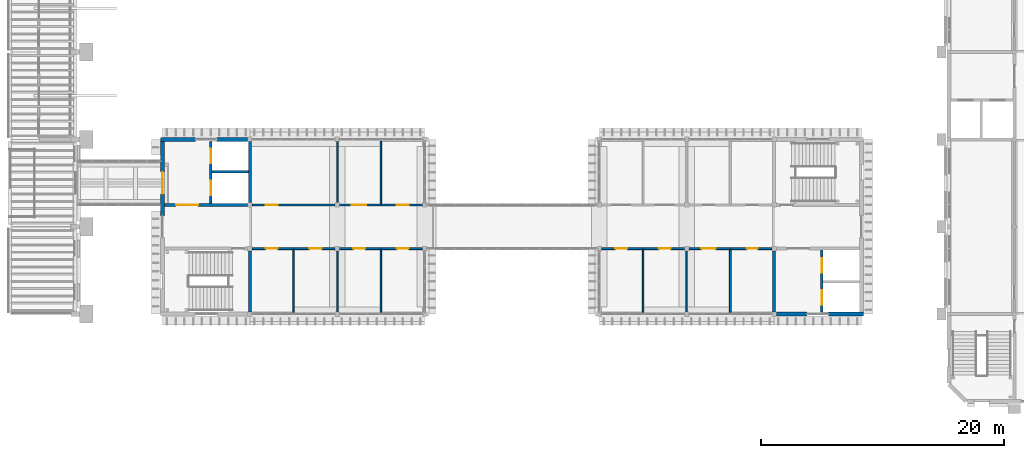
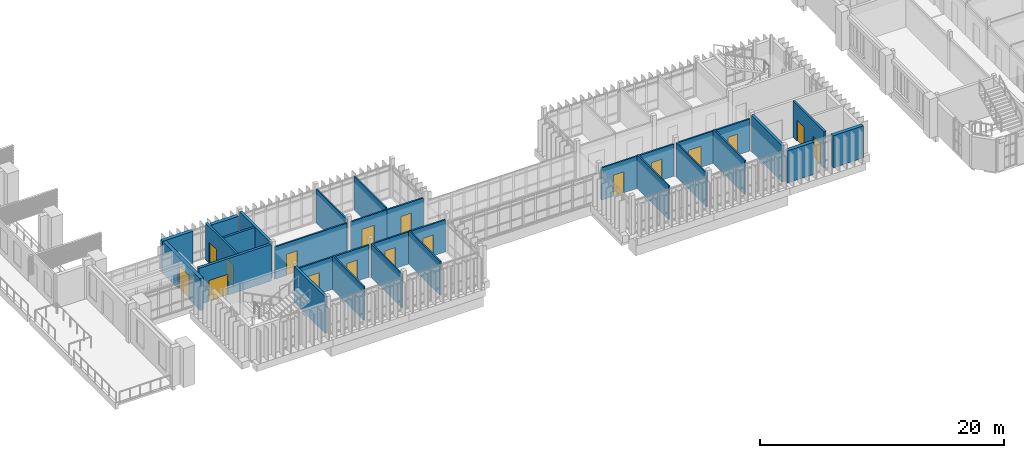
# One storey, part 44 of 69: 31 walls, 17 doors, 17 openings.
"""IFC4 building model written with IfcOpenShell, lengths in metres."""

from ifc_helpers import new_model, si_unit, direction, frame, frame_2d, origin, place, context, subcontext, project, spatial, rectangle, extrude, material, layer, layer_set, type_object, element, fill, save


model = new_model("IFC4")

# Units and contexts
model_context = context("Model", 3, precision=1e-05, world=origin(), true_north=direction((0.0, 1.0)))
body_context = subcontext(model_context, "Body", "Model", "MODEL_VIEW")
ifc_project = project(units=[si_unit("LENGTHUNIT", "METRE"), si_unit("AREAUNIT", "SQUARE_METRE"), si_unit("VOLUMEUNIT", "CUBIC_METRE"), si_unit("PLANEANGLEUNIT", "RADIAN"), si_unit("MASSUNIT", "GRAM", prefix="KILO")], contexts=[model_context])

# Site, building, storey
site_placement = place(None, origin())
site = spatial("IfcSite", under=ifc_project, at=site_placement, CompositionType="ELEMENT")
building_placement = place(site_placement, origin())
building = spatial("IfcBuilding", under=site, at=building_placement, Name="Mazhai Court Health Centre", CompositionType="ELEMENT")
storey_placement = place(building_placement, frame((0.0, 0.0, 6.300048828125)))
storey = spatial("IfcBuildingStorey", under=building, at=storey_placement, Name="L01", CompositionType="ELEMENT", Elevation=6.300048828125)

# Walls
ifc_material_1 = material(Name="Clay brick masonry", Category="masonry")
ifc_layer_1 = layer(ifc_material_1, 0.330078125)
ifc_layer_set_1 = layer_set([ifc_layer_1], Name="BRICK WALL 330 EXTERNAL")
wall_type_1 = type_object("IfcWallType", Name="BRICK WALL 330 EXTERNAL", PredefinedType="SOLIDWALL", material=ifc_layer_set_1)
wall_1_placement = place(storey_placement, frame((124.10009765625, 13.39990234375, 0.0), z_axis=(0.0, 0.0, 1.0), x_axis=(-1.0, 0.0, 0.0)))
element("IfcWall", 1, at=wall_1_placement, inside=storey, type_object=wall_type_1, Name="EW-V4-L01-A7a", PredefinedType="SOLIDWALL", context=body_context, shape_type="SweptSolid", body=[
    extrude(rectangle(XDim=2.52001953125, YDim=0.330078125, at=frame_2d((1.260009765625, 0.0))), origin(), (0.0, 0.0, 1.0), 3.219970703125),
])
for number, where, z_axis, x_axis, name in (
    (2, (128.764892578125, 13.39990234375, 0.0), (0.0, 0.0, 1.0), (-1.0, 0.0, 0.0), "EW-V4-L01-A7b"),
    (3, (70.8349609375, 27.800048828125, 0.0), (0.0, 0.0, 1.0), (1.0, 0.0, 0.0), "EW-V4-L01-B0a"),
):
    element("IfcWall", number, at=place(storey_placement, frame(where, z_axis=z_axis, x_axis=x_axis)), inside=storey, type_object=wall_type_1, Name=name, PredefinedType="SOLIDWALL", context=body_context, shape_type="SweptSolid", body=[
        extrude(rectangle(XDim=2.864990234375, YDim=0.330078125, at=frame_2d((1.4326171875, 0.0))), origin(), (0.0, 0.0, 1.0), 3.219970703125),
    ])
wall_2_placement = place(storey_placement, frame((75.5, 27.800048828125, 0.0), z_axis=(0.0, 0.0, 1.0), x_axis=(1.0, 0.0, 0.0)))
element("IfcWall", 4, at=wall_2_placement, inside=storey, type_object=wall_type_1, Name="EW-V4-L01-B0b", PredefinedType="SOLIDWALL", context=body_context, shape_type="SweptSolid", body=[
    extrude(rectangle(XDim=2.52001953125, YDim=0.330078125, at=frame_2d((1.260009765625, 0.0))), origin(), (0.0, 0.0, 1.0), 3.219970703125),
])

# Wall, opening, door
wall_3_placement = place(storey_placement, frame((71.0, 21.5, 0.0), z_axis=(0.0, 0.0, 1.0), x_axis=(0.0, 1.0, 0.0)))
wall_3 = element("IfcWall", 5, at=wall_3_placement, inside=storey, type_object=wall_type_1, Name="EW-V4-L01-Sp2", PredefinedType="SOLIDWALL", context=body_context, shape_type="SweptSolid", body=[
    extrude(rectangle(XDim=6.135009765625, YDim=0.330078125, at=frame_2d((3.0673828125, 0.0))), origin(), (0.0, 0.0, 1.0), 3.199951171875),
])
opening_1_placement = place(wall_3_placement, frame((1.800048828125, 0.0, 0.0)))
opening_1 = element("IfcOpeningElement", 6, at=opening_1_placement, cuts=wall_3, Name="Opening D-L01-048", PredefinedType="OPENING", context=body_context, shape_type="SweptSolid", body=[
    extrude(rectangle(XDim=1.800048828125, YDim=2.39990234375, at=frame_2d((0.89990234375, 1.199951171875))), frame((0.0, 0.175048828125, 0.0), z_axis=(0.0, -1.0, 0.0), x_axis=(1.0, 0.0, 0.0)), (0.0, 0.0, 1.0), 0.35009765625),
])
ifc_material_2 = material(Name="Teak timber door, glazed", Category="wood")
door_type_1 = type_object("IfcDoorType", Name="DOOR BRIDGE DOUBLE 1800x2400", OperationType="DOUBLE_DOOR_SINGLE_SWING", PredefinedType="DOOR", material=ifc_material_2)
door_1_placement = place(opening_1_placement, origin())
door_1 = element("IfcDoor", 7, at=door_1_placement, inside=storey, type_object=door_type_1, Name="L01-E02", OperationType="DOUBLE_DOOR_SINGLE_SWING", OverallHeight=2.39990234375, OverallWidth=1.800048828125, PredefinedType="DOOR", context=body_context, shape_type="SweptSolid", body=[
    extrude(rectangle(XDim=1.800048828125, YDim=2.39990234375, at=frame_2d((0.89990234375, 1.199951171875))), frame((0.0, 0.02490234375, 0.0), z_axis=(0.0, -1.0, 0.0), x_axis=(1.0, 0.0, 0.0)), (0.0, 0.0, 1.0), 0.050048828125),
])
fill(opening_1, door_1)

# Walls
ifc_material_3 = material(Name="Gypsum plasterboard partition")
ifc_layer_2 = layer(ifc_material_3, 0.125)
ifc_layer_set_2 = layer_set([ifc_layer_2], Name="PARTITION 125 STUD EI30")
wall_type_2 = type_object("IfcWallType", Name="PARTITION 125 STUD EI30", PredefinedType="PARTITIONING", material=ifc_layer_set_2)
wall_4_placement = place(storey_placement, frame((81.800048828125, 13.56494140625, 0.0), z_axis=(0.0, 0.0, 1.0), x_axis=(0.0, 1.0, 0.0)))
element("IfcWall", 8, at=wall_4_placement, inside=storey, type_object=wall_type_2, Name="wall-V4-L01-A0-cross-1a", PredefinedType="PARTITIONING", context=body_context, shape_type="SweptSolid", body=[
    extrude(rectangle(XDim=5.16015625, YDim=0.125, at=frame_2d((2.580078125, 0.0))), origin(), (0.0, 0.0, 1.0), 3.3798828125),
])
wall_5_placement = place(storey_placement, frame((85.39990234375, 13.580078125, 0.0), z_axis=(0.0, 0.0, 1.0), x_axis=(0.0, 1.0, 0.0)))
element("IfcWall", 9, at=wall_5_placement, inside=storey, type_object=wall_type_2, Name="wall-V4-L01-A0-cross-2a", PredefinedType="PARTITIONING", context=body_context, shape_type="SweptSolid", body=[
    extrude(rectangle(XDim=5.0400390625, YDim=0.125, at=frame_2d((2.52001953125, 0.0))), origin(), (0.0, 0.0, 1.0), 3.3798828125),
])
for number, where, z_axis, x_axis, name in (
    (10, (89.0, 13.56494140625, 0.0), (0.0, 0.0, 1.0), (0.0, 1.0, 0.0), "wall-V4-L01-A0-cross-3a"),
    (11, (110.60009765625, 13.56494140625, 0.0), (0.0, 0.0, 1.0), (0.0, 1.0, 0.0), "wall-V4-L01-A1-cross-1a"),
):
    element("IfcWall", number, at=place(storey_placement, frame(where, z_axis=z_axis, x_axis=x_axis)), inside=storey, type_object=wall_type_2, Name=name, PredefinedType="PARTITIONING", context=body_context, shape_type="SweptSolid", body=[
        extrude(rectangle(XDim=5.16015625, YDim=0.125, at=frame_2d((2.580078125, 0.0))), origin(), (0.0, 0.0, 1.0), 3.3798828125),
    ])
for number, where, z_axis, x_axis, name in (
    (12, (114.199951171875, 13.580078125, 0.0), (0.0, 0.0, 1.0), (0.0, 1.0, 0.0), "wall-V4-L01-A1-cross-2a"),
    (13, (85.39990234375, 27.6201171875, 0.0), (0.0, 0.0, 1.0), (0.0, -1.0, 0.0), "wall-V4-L01-B0-cross-1a"),
):
    element("IfcWall", number, at=place(storey_placement, frame(where, z_axis=z_axis, x_axis=x_axis)), inside=storey, type_object=wall_type_2, Name=name, PredefinedType="PARTITIONING", context=body_context, shape_type="SweptSolid", body=[
        extrude(rectangle(XDim=5.0400390625, YDim=0.125, at=frame_2d((2.52001953125, 0.0))), origin(), (0.0, 0.0, 1.0), 3.3798828125),
    ])
wall_6_placement = place(storey_placement, frame((89.0, 27.635009765625, 0.0), z_axis=(0.0, 0.0, 1.0), x_axis=(0.0, -1.0, 0.0)))
element("IfcWall", 14, at=wall_6_placement, inside=storey, type_object=wall_type_2, Name="wall-V4-L01-B0-cross-2a", PredefinedType="PARTITIONING", context=body_context, shape_type="SweptSolid", body=[
    extrude(rectangle(XDim=5.159912109375, YDim=0.125, at=frame_2d((2.580078125, 0.0))), origin(), (0.0, 0.0, 1.0), 3.3798828125),
])

# Wall, opening, door
ifc_material_4 = material(Name="Gypsum plasterboard partition")
ifc_layer_3 = layer(ifc_material_4, 0.14990234375)
ifc_layer_set_3 = layer_set([ifc_layer_3], Name="PARTITION 150 CORRIDOR EI60")
wall_type_3 = type_object("IfcWallType", Name="PARTITION 150 CORRIDOR EI60", PredefinedType="PARTITIONING", material=ifc_layer_set_3)
wall_7_placement = place(storey_placement, frame((81.800048828125, 18.800048828125, 0.0), z_axis=(0.0, 0.0, 1.0), x_axis=(-1.0, 0.0, 0.0)))
wall_7 = element("IfcWall", 15, at=wall_7_placement, inside=storey, type_object=wall_type_3, Name="wall-V4-L01-A0-corr-0a", PredefinedType="PARTITIONING", context=body_context, shape_type="SweptSolid", body=[
    extrude(rectangle(XDim=3.420166015625, YDim=0.14990234375, at=frame_2d((1.7099609375, 0.0))), origin(), (0.0, 0.0, 1.0), 3.219970703125),
])
opening_2_placement = place(wall_7_placement, frame((1.300048828125, 0.0, 0.0)))
opening_2 = element("IfcOpeningElement", 16, at=opening_2_placement, cuts=wall_7, Name="Opening D-L01-051", PredefinedType="OPENING", context=body_context, shape_type="SweptSolid", body=[
    extrude(rectangle(XDim=1.0, YDim=2.10009765625, at=frame_2d((0.5, 1.050048828125))), frame((0.0, 0.0849609375, 0.0), z_axis=(0.0, -1.0, 0.0), x_axis=(1.0, 0.0, 0.0)), (0.0, 0.0, 1.0), 0.169921875),
])
ifc_material_5 = material(Name="Hardwood door leaf", Category="wood")
door_type_2 = type_object("IfcDoorType", Name="DOOR 1000x2100 FD30S SINGLE", OperationType="NOTDEFINED", PredefinedType="DOOR", material=ifc_material_5)
door_2_placement = place(opening_2_placement, origin())
door_2 = element("IfcDoor", 17, at=door_2_placement, inside=storey, type_object=door_type_2, Name="door-V4-L01-A0-gp-consulting-room-1", OperationType="SINGLE_SWING_RIGHT", OverallHeight=2.10009765625, OverallWidth=1.0, PredefinedType="DOOR", context=body_context, shape_type="SweptSolid", body=[
    extrude(rectangle(XDim=1.0, YDim=2.10009765625, at=frame_2d((0.5, 1.050048828125))), frame((0.0, 0.02490234375, 0.0), z_axis=(0.0, -1.0, 0.0), x_axis=(1.0, 0.0, 0.0)), (0.0, 0.0, 1.0), 0.050048828125),
])
fill(opening_2, door_2)

wall_8_placement = place(storey_placement, frame((85.219970703125, 18.800048828125, 0.0), z_axis=(0.0, 0.0, 1.0), x_axis=(-1.0, 0.0, 0.0)))
wall_8 = element("IfcWall", 18, at=wall_8_placement, inside=storey, type_object=wall_type_3, Name="wall-V4-L01-A0-corr-1a", PredefinedType="PARTITIONING", context=body_context, shape_type="SweptSolid", body=[
    extrude(rectangle(XDim=3.419921875, YDim=0.14990234375, at=frame_2d((1.7099609375, 0.0))), origin(), (0.0, 0.0, 1.0), 3.219970703125),
])
opening_3_placement = place(wall_8_placement, frame((1.1201171875, 0.0, 0.0)))
opening_3 = element("IfcOpeningElement", 19, at=opening_3_placement, cuts=wall_8, Name="Opening D-L01-053", PredefinedType="OPENING", context=body_context, shape_type="SweptSolid", body=[
    extrude(rectangle(XDim=1.0, YDim=2.10009765625, at=frame_2d((0.5, 1.050048828125))), frame((0.0, 0.0849609375, 0.0), z_axis=(0.0, -1.0, 0.0), x_axis=(1.0, 0.0, 0.0)), (0.0, 0.0, 1.0), 0.169921875),
])
door_3_placement = place(opening_3_placement, origin())
door_3 = element("IfcDoor", 20, at=door_3_placement, inside=storey, type_object=door_type_2, Name="door-V4-L01-A0-gp-consulting-room-2", OperationType="SINGLE_SWING_LEFT", OverallHeight=2.10009765625, OverallWidth=1.0, PredefinedType="DOOR", context=body_context, shape_type="SweptSolid", body=[
    extrude(rectangle(XDim=1.0, YDim=2.10009765625, at=frame_2d((0.5, 1.050048828125))), frame((0.0, 0.02490234375, 0.0), z_axis=(0.0, -1.0, 0.0), x_axis=(1.0, 0.0, 0.0)), (0.0, 0.0, 1.0), 0.050048828125),
])
fill(opening_3, door_3)

wall_9_placement = place(storey_placement, frame((89.0, 18.800048828125, 0.0), z_axis=(0.0, 0.0, 1.0), x_axis=(-1.0, 0.0, 0.0)))
wall_9 = element("IfcWall", 21, at=wall_9_placement, inside=storey, type_object=wall_type_3, Name="wall-V4-L01-A0-corr-2a", PredefinedType="PARTITIONING", context=body_context, shape_type="SweptSolid", body=[
    extrude(rectangle(XDim=3.419921875, YDim=0.14990234375, at=frame_2d((1.7099609375, 0.0))), origin(), (0.0, 0.0, 1.0), 3.219970703125),
])
opening_4_placement = place(wall_9_placement, frame((1.300048828125, 0.0, 0.0)))
opening_4 = element("IfcOpeningElement", 22, at=opening_4_placement, cuts=wall_9, Name="Opening D-L01-054", PredefinedType="OPENING", context=body_context, shape_type="SweptSolid", body=[
    extrude(rectangle(XDim=1.0, YDim=2.10009765625, at=frame_2d((0.5, 1.050048828125))), frame((0.0, 0.0849609375, 0.0), z_axis=(0.0, -1.0, 0.0), x_axis=(1.0, 0.0, 0.0)), (0.0, 0.0, 1.0), 0.169921875),
])
door_4_placement = place(opening_4_placement, origin())
door_4 = element("IfcDoor", 23, at=door_4_placement, inside=storey, type_object=door_type_2, Name="door-V4-L01-A0-gp-consulting-room-3", OperationType="SINGLE_SWING_RIGHT", OverallHeight=2.10009765625, OverallWidth=1.0, PredefinedType="DOOR", context=body_context, shape_type="SweptSolid", body=[
    extrude(rectangle(XDim=1.0, YDim=2.10009765625, at=frame_2d((0.5, 1.050048828125))), frame((0.0, 0.02490234375, 0.0), z_axis=(0.0, -1.0, 0.0), x_axis=(1.0, 0.0, 0.0)), (0.0, 0.0, 1.0), 0.050048828125),
])
fill(opening_4, door_4)

wall_10_placement = place(storey_placement, frame((92.419921875, 18.800048828125, 0.0), z_axis=(0.0, 0.0, 1.0), x_axis=(-1.0, 0.0, 0.0)))
wall_10 = element("IfcWall", 24, at=wall_10_placement, inside=storey, type_object=wall_type_3, Name="wall-V4-L01-A0-corr-3a", PredefinedType="PARTITIONING", context=body_context, shape_type="SweptSolid", body=[
    extrude(rectangle(XDim=3.419921875, YDim=0.14990234375, at=frame_2d((1.7099609375, 0.0))), origin(), (0.0, 0.0, 1.0), 3.219970703125),
])
opening_5_placement = place(wall_10_placement, frame((1.1201171875, 0.0, 0.0)))
opening_5 = element("IfcOpeningElement", 25, at=opening_5_placement, cuts=wall_10, Name="Opening D-L01-056", PredefinedType="OPENING", context=body_context, shape_type="SweptSolid", body=[
    extrude(rectangle(XDim=1.0, YDim=2.10009765625, at=frame_2d((0.5, 1.050048828125))), frame((0.0, 0.0849609375, 0.0), z_axis=(0.0, -1.0, 0.0), x_axis=(1.0, 0.0, 0.0)), (0.0, 0.0, 1.0), 0.169921875),
])
door_5_placement = place(opening_5_placement, origin())
door_5 = element("IfcDoor", 26, at=door_5_placement, inside=storey, type_object=door_type_2, Name="door-V4-L01-A0-gp-consulting-room-4", OperationType="SINGLE_SWING_LEFT", OverallHeight=2.10009765625, OverallWidth=1.0, PredefinedType="DOOR", context=body_context, shape_type="SweptSolid", body=[
    extrude(rectangle(XDim=1.0, YDim=2.10009765625, at=frame_2d((0.5, 1.050048828125))), frame((0.0, 0.02490234375, 0.0), z_axis=(0.0, -1.0, 0.0), x_axis=(1.0, 0.0, 0.0)), (0.0, 0.0, 1.0), 0.050048828125),
])
fill(opening_5, door_5)

wall_11_placement = place(storey_placement, frame((110.60009765625, 18.800048828125, 0.0), z_axis=(0.0, 0.0, 1.0), x_axis=(-1.0, 0.0, 0.0)))
wall_11 = element("IfcWall", 27, at=wall_11_placement, inside=storey, type_object=wall_type_3, Name="wall-V4-L01-A1-corr-0a", PredefinedType="PARTITIONING", context=body_context, shape_type="SweptSolid", body=[
    extrude(rectangle(XDim=3.420166015625, YDim=0.14990234375, at=frame_2d((1.7099609375, 0.0))), origin(), (0.0, 0.0, 1.0), 3.219970703125),
])
opening_6_placement = place(wall_11_placement, frame((1.300048828125, 0.0, 0.0)))
opening_6 = element("IfcOpeningElement", 28, at=opening_6_placement, cuts=wall_11, Name="Opening D-L01-058", PredefinedType="OPENING", context=body_context, shape_type="SweptSolid", body=[
    extrude(rectangle(XDim=1.0, YDim=2.10009765625, at=frame_2d((0.5, 1.050048828125))), frame((0.0, 0.0849609375, 0.0), z_axis=(0.0, -1.0, 0.0), x_axis=(1.0, 0.0, 0.0)), (0.0, 0.0, 1.0), 0.169921875),
])
door_6_placement = place(opening_6_placement, origin())
door_6 = element("IfcDoor", 29, at=door_6_placement, inside=storey, type_object=door_type_2, Name="door-V4-L01-A1-gp-consulting-room-5", OperationType="SINGLE_SWING_RIGHT", OverallHeight=2.10009765625, OverallWidth=1.0, PredefinedType="DOOR", context=body_context, shape_type="SweptSolid", body=[
    extrude(rectangle(XDim=1.0, YDim=2.10009765625, at=frame_2d((0.5, 1.050048828125))), frame((0.0, 0.02490234375, 0.0), z_axis=(0.0, -1.0, 0.0), x_axis=(1.0, 0.0, 0.0)), (0.0, 0.0, 1.0), 0.050048828125),
])
fill(opening_6, door_6)

wall_12_placement = place(storey_placement, frame((114.02001953125, 18.800048828125, 0.0), z_axis=(0.0, 0.0, 1.0), x_axis=(-1.0, 0.0, 0.0)))
wall_12 = element("IfcWall", 30, at=wall_12_placement, inside=storey, type_object=wall_type_3, Name="wall-V4-L01-A1-corr-1a", PredefinedType="PARTITIONING", context=body_context, shape_type="SweptSolid", body=[
    extrude(rectangle(XDim=3.419921875, YDim=0.14990234375, at=frame_2d((1.7099609375, 0.0))), origin(), (0.0, 0.0, 1.0), 3.219970703125),
])
opening_7_placement = place(wall_12_placement, frame((1.1201171875, 0.0, 0.0)))
opening_7 = element("IfcOpeningElement", 31, at=opening_7_placement, cuts=wall_12, Name="Opening D-L01-060", PredefinedType="OPENING", context=body_context, shape_type="SweptSolid", body=[
    extrude(rectangle(XDim=1.0, YDim=2.10009765625, at=frame_2d((0.5, 1.050048828125))), frame((0.0, 0.0849609375, 0.0), z_axis=(0.0, -1.0, 0.0), x_axis=(1.0, 0.0, 0.0)), (0.0, 0.0, 1.0), 0.169921875),
])
door_7_placement = place(opening_7_placement, origin())
door_7 = element("IfcDoor", 32, at=door_7_placement, inside=storey, type_object=door_type_2, Name="door-V4-L01-A1-gp-consulting-room-6", OperationType="SINGLE_SWING_LEFT", OverallHeight=2.10009765625, OverallWidth=1.0, PredefinedType="DOOR", context=body_context, shape_type="SweptSolid", body=[
    extrude(rectangle(XDim=1.0, YDim=2.10009765625, at=frame_2d((0.5, 1.050048828125))), frame((0.0, 0.02490234375, 0.0), z_axis=(0.0, -1.0, 0.0), x_axis=(1.0, 0.0, 0.0)), (0.0, 0.0, 1.0), 0.050048828125),
])
fill(opening_7, door_7)

wall_13_placement = place(storey_placement, frame((117.800048828125, 18.800048828125, 0.0), z_axis=(0.0, 0.0, 1.0), x_axis=(-1.0, 0.0, 0.0)))
wall_13 = element("IfcWall", 33, at=wall_13_placement, inside=storey, type_object=wall_type_3, Name="wall-V4-L01-A1-corr-2a", PredefinedType="PARTITIONING", context=body_context, shape_type="SweptSolid", body=[
    extrude(rectangle(XDim=3.420166015625, YDim=0.14990234375, at=frame_2d((1.7099609375, 0.0))), origin(), (0.0, 0.0, 1.0), 3.219970703125),
])
opening_8_placement = place(wall_13_placement, frame((1.199951171875, 0.0, 0.0)))
opening_8 = element("IfcOpeningElement", 34, at=opening_8_placement, cuts=wall_13, Name="Opening D-L01-062", PredefinedType="OPENING", context=body_context, shape_type="SweptSolid", body=[
    extrude(rectangle(XDim=1.199951171875, YDim=2.10009765625, at=frame_2d((0.60009765625, 1.050048828125))), frame((0.0, 0.0849609375, 0.0), z_axis=(0.0, -1.0, 0.0), x_axis=(1.0, 0.0, 0.0)), (0.0, 0.0, 1.0), 0.169921875),
])
ifc_material_6 = material(Name="Hardwood door leaf", Category="wood")
door_type_3 = type_object("IfcDoorType", Name="DOOR 1200x2100 FD30S WIDE SINGLE", OperationType="NOTDEFINED", PredefinedType="DOOR", material=ifc_material_6)
door_8_placement = place(opening_8_placement, origin())
door_8 = element("IfcDoor", 35, at=door_8_placement, inside=storey, type_object=door_type_3, Name="door-V4-L01-A1-treatment-room-1", OperationType="SINGLE_SWING_RIGHT", OverallHeight=2.10009765625, OverallWidth=1.199951171875, PredefinedType="DOOR", context=body_context, shape_type="SweptSolid", body=[
    extrude(rectangle(XDim=1.199951171875, YDim=2.10009765625, at=frame_2d((0.60009765625, 1.050048828125))), frame((0.0, 0.02490234375, 0.0), z_axis=(0.0, -1.0, 0.0), x_axis=(1.0, 0.0, 0.0)), (0.0, 0.0, 1.0), 0.050048828125),
])
fill(opening_8, door_8)

wall_14_placement = place(storey_placement, frame((117.800048828125, 18.800048828125, 0.0), z_axis=(0.0, 0.0, 1.0), x_axis=(1.0, 0.0, 0.0)))
wall_14 = element("IfcWall", 36, at=wall_14_placement, inside=storey, type_object=wall_type_3, Name="wall-V4-L01-A1-corr-3a", PredefinedType="PARTITIONING", context=body_context, shape_type="SweptSolid", body=[
    extrude(rectangle(XDim=3.419921875, YDim=0.14990234375, at=frame_2d((1.7099609375, 0.0))), origin(), (0.0, 0.0, 1.0), 3.219970703125),
])
opening_9_placement = place(wall_14_placement, frame((1.35009765625, 0.0, 0.0)))
opening_9 = element("IfcOpeningElement", 37, at=opening_9_placement, cuts=wall_14, Name="Opening D-L01-064", PredefinedType="OPENING", context=body_context, shape_type="SweptSolid", body=[
    extrude(rectangle(XDim=0.89990234375, YDim=2.10009765625, at=frame_2d((0.449951171875, 1.050048828125))), frame((0.0, 0.0849609375, 0.0), z_axis=(0.0, -1.0, 0.0), x_axis=(1.0, 0.0, 0.0)), (0.0, 0.0, 1.0), 0.169921875),
])
ifc_material_7 = material(Name="Hardwood door leaf", Category="wood")
door_type_4 = type_object("IfcDoorType", Name="DOOR 900x2100 FD30S SINGLE", OperationType="NOTDEFINED", PredefinedType="DOOR", material=ifc_material_7)
door_9_placement = place(opening_9_placement, origin())
door_9 = element("IfcDoor", 38, at=door_9_placement, inside=storey, type_object=door_type_4, Name="door-V4-L01-A1-accessible-wc", OperationType="SINGLE_SWING_RIGHT", OverallHeight=2.10009765625, OverallWidth=0.89990234375, PredefinedType="DOOR", context=body_context, shape_type="SweptSolid", body=[
    extrude(rectangle(XDim=0.89990234375, YDim=2.10009765625, at=frame_2d((0.449951171875, 1.050048828125))), frame((0.0, 0.02490234375, 0.0), z_axis=(0.0, -1.0, 0.0), x_axis=(1.0, 0.0, 0.0)), (0.0, 0.0, 1.0), 0.050048828125),
])
fill(opening_9, door_9)

wall_15_placement = place(storey_placement, frame((78.3798828125, 22.39990234375, 0.0), z_axis=(0.0, 0.0, 1.0), x_axis=(1.0, 0.0, 0.0)))
wall_15 = element("IfcWall", 39, at=wall_15_placement, inside=storey, type_object=wall_type_3, Name="wall-V4-L01-B0-corr-0a", PredefinedType="PARTITIONING", context=body_context, shape_type="SweptSolid", body=[
    extrude(rectangle(XDim=6.840087890625, YDim=0.14990234375, at=frame_2d((3.419921875, 0.0))), origin(), (0.0, 0.0, 1.0), 3.219970703125),
])
opening_10_placement = place(wall_15_placement, frame((1.1201171875, 0.0, 0.0)))
opening_10 = element("IfcOpeningElement", 40, at=opening_10_placement, cuts=wall_15, Name="Opening D-L01-052", PredefinedType="OPENING", context=body_context, shape_type="SweptSolid", body=[
    extrude(rectangle(XDim=1.0, YDim=2.10009765625, at=frame_2d((0.5, 1.050048828125))), frame((0.0, 0.0849609375, 0.0), z_axis=(0.0, -1.0, 0.0), x_axis=(1.0, 0.0, 0.0)), (0.0, 0.0, 1.0), 0.169921875),
])
door_10_placement = place(opening_10_placement, origin())
door_10 = element("IfcDoor", 41, at=door_10_placement, inside=storey, type_object=door_type_2, Name="door-V4-L01-B0-nurse-base-and-triage", OperationType="SINGLE_SWING_LEFT", OverallHeight=2.10009765625, OverallWidth=1.0, PredefinedType="DOOR", context=body_context, shape_type="SweptSolid", body=[
    extrude(rectangle(XDim=1.0, YDim=2.10009765625, at=frame_2d((0.5, 1.050048828125))), frame((0.0, 0.02490234375, 0.0), z_axis=(0.0, -1.0, 0.0), x_axis=(1.0, 0.0, 0.0)), (0.0, 0.0, 1.0), 0.050048828125),
])
fill(opening_10, door_10)

wall_16_placement = place(storey_placement, frame((85.580078125, 22.39990234375, 0.0), z_axis=(0.0, 0.0, 1.0), x_axis=(1.0, 0.0, 0.0)))
wall_16 = element("IfcWall", 42, at=wall_16_placement, inside=storey, type_object=wall_type_3, Name="wall-V4-L01-B0-corr-1a", PredefinedType="PARTITIONING", context=body_context, shape_type="SweptSolid", body=[
    extrude(rectangle(XDim=3.419921875, YDim=0.14990234375, at=frame_2d((1.7099609375, 0.0))), origin(), (0.0, 0.0, 1.0), 3.219970703125),
])
opening_11_placement = place(wall_16_placement, frame((1.02001953125, 0.0, 0.0)))
opening_11 = element("IfcOpeningElement", 43, at=opening_11_placement, cuts=wall_16, Name="Opening D-L01-055", PredefinedType="OPENING", context=body_context, shape_type="SweptSolid", body=[
    extrude(rectangle(XDim=1.199951171875, YDim=2.10009765625, at=frame_2d((0.60009765625, 1.050048828125))), frame((0.0, 0.0849609375, 0.0), z_axis=(0.0, -1.0, 0.0), x_axis=(1.0, 0.0, 0.0)), (0.0, 0.0, 1.0), 0.169921875),
])
door_11_placement = place(opening_11_placement, origin())
door_11 = element("IfcDoor", 44, at=door_11_placement, inside=storey, type_object=door_type_3, Name="door-V4-L01-B0-treatment-room-2", OperationType="SINGLE_SWING_LEFT", OverallHeight=2.10009765625, OverallWidth=1.199951171875, PredefinedType="DOOR", context=body_context, shape_type="SweptSolid", body=[
    extrude(rectangle(XDim=1.199951171875, YDim=2.10009765625, at=frame_2d((0.60009765625, 1.050048828125))), frame((0.0, 0.02490234375, 0.0), z_axis=(0.0, -1.0, 0.0), x_axis=(1.0, 0.0, 0.0)), (0.0, 0.0, 1.0), 0.050048828125),
])
fill(opening_11, door_11)

wall_17_placement = place(storey_placement, frame((89.0, 22.39990234375, 0.0), z_axis=(0.0, 0.0, 1.0), x_axis=(1.0, 0.0, 0.0)))
wall_17 = element("IfcWall", 45, at=wall_17_placement, inside=storey, type_object=wall_type_3, Name="wall-V4-L01-B0-corr-2a", PredefinedType="PARTITIONING", context=body_context, shape_type="SweptSolid", body=[
    extrude(rectangle(XDim=3.419921875, YDim=0.14990234375, at=frame_2d((1.7099609375, 0.0))), origin(), (0.0, 0.0, 1.0), 3.219970703125),
])
opening_12_placement = place(wall_17_placement, frame((1.300048828125, 0.0, 0.0)))
opening_12 = element("IfcOpeningElement", 46, at=opening_12_placement, cuts=wall_17, Name="Opening D-L01-057", PredefinedType="OPENING", context=body_context, shape_type="SweptSolid", body=[
    extrude(rectangle(XDim=1.0, YDim=2.10009765625, at=frame_2d((0.5, 1.050048828125))), frame((0.0, 0.0849609375, 0.0), z_axis=(0.0, -1.0, 0.0), x_axis=(1.0, 0.0, 0.0)), (0.0, 0.0, 1.0), 0.169921875),
])
door_12_placement = place(opening_12_placement, origin())
door_12 = element("IfcDoor", 47, at=door_12_placement, inside=storey, type_object=door_type_2, Name="door-V4-L01-B0-wound-care-room", OperationType="SINGLE_SWING_RIGHT", OverallHeight=2.10009765625, OverallWidth=1.0, PredefinedType="DOOR", context=body_context, shape_type="SweptSolid", body=[
    extrude(rectangle(XDim=1.0, YDim=2.10009765625, at=frame_2d((0.5, 1.050048828125))), frame((0.0, 0.02490234375, 0.0), z_axis=(0.0, -1.0, 0.0), x_axis=(1.0, 0.0, 0.0)), (0.0, 0.0, 1.0), 0.050048828125),
])
fill(opening_12, door_12)

# Walls
ifc_material_8 = material(Name="Gypsum plasterboard partition")
ifc_layer_4 = layer(ifc_material_8, 0.14990234375)
ifc_layer_set_4 = layer_set([ifc_layer_4], Name="PARTITION 150 WET AREA EI30")
wall_type_4 = type_object("IfcWallType", Name="PARTITION 150 WET AREA EI30", PredefinedType="PARTITIONING", material=ifc_layer_set_4)
wall_18_placement = place(storey_placement, frame((117.800048828125, 13.56494140625, 0.0), z_axis=(0.0, 0.0, 1.0), x_axis=(0.0, 1.0, 0.0)))
element("IfcWall", 48, at=wall_18_placement, inside=storey, type_object=wall_type_4, Name="wall-V4-L01-A1-cross-3a", PredefinedType="PARTITIONING", context=body_context, shape_type="SweptSolid", body=[
    extrude(rectangle(XDim=5.16015625, YDim=0.14990234375, at=frame_2d((2.580078125, 0.0))), origin(), (0.0, 0.0, 1.0), 3.3798828125),
])
ifc_material_9 = material(Name="Concrete M40", Category="concrete")
ifc_layer_5 = layer(ifc_material_9, 0.25)
ifc_layer_set_5 = layer_set([ifc_layer_5], Name="RC CORE WALL 250 M40")
wall_type_5 = type_object("IfcWallType", Name="RC CORE WALL 250 M40", PredefinedType="SHEAR", material=ifc_layer_set_5)
wall_19_placement = place(storey_placement, frame((78.199951171875, 13.580078125, 0.0), z_axis=(0.0, 0.0, 1.0), x_axis=(0.0, 1.0, 0.0)))
element("IfcWall", 49, at=wall_19_placement, inside=storey, type_object=wall_type_5, Name="core-C6-w-stair-line0-L01", PredefinedType="SHEAR", context=body_context, shape_type="SweptSolid", body=[
    extrude(rectangle(XDim=5.0400390625, YDim=0.25, at=frame_2d((2.52001953125, 0.0))), origin(), (0.0, 0.0, 1.0), 3.64990234375),
])

# Wall, opening, door
wall_20_placement = place(storey_placement, frame((71.1650390625, 22.39990234375, 0.0), z_axis=(0.0, 0.0, 1.0), x_axis=(1.0, 0.0, 0.0)))
wall_20 = element("IfcWall", 50, at=wall_20_placement, inside=storey, type_object=wall_type_5, Name="core-C6-w-other-corr-L01", PredefinedType="SHEAR", context=body_context, shape_type="SweptSolid", body=[
    extrude(rectangle(XDim=6.85498046875, YDim=0.25, at=frame_2d((3.427490234375, 0.0))), origin(), (0.0, 0.0, 1.0), 3.64990234375),
])
opening_13_placement = place(wall_20_placement, frame((0.955078125, 0.0, 0.0)))
opening_13 = element("IfcOpeningElement", 51, at=opening_13_placement, cuts=wall_20, Name="Opening D-L01-049", PredefinedType="OPENING", context=body_context, shape_type="SweptSolid", body=[
    extrude(rectangle(XDim=1.800048828125, YDim=2.10009765625, at=frame_2d((0.89990234375, 1.050048828125))), frame((0.0, 0.135009765625, 0.0), z_axis=(0.0, -1.0, 0.0), x_axis=(1.0, 0.0, 0.0)), (0.0, 0.0, 1.0), 0.27001953125),
])
ifc_material_10 = material(Name="Steel fire door leaf", Category="steel")
door_type_5 = type_object("IfcDoorType", Name="FD60S LIFT LOBBY DOOR 1800x2100", OperationType="DOUBLE_DOOR_SINGLE_SWING", PredefinedType="DOOR", material=ifc_material_10)
door_13_placement = place(opening_13_placement, origin())
door_13 = element("IfcDoor", 52, at=door_13_placement, inside=storey, type_object=door_type_5, Name="Lift lobby door L01", OperationType="DOUBLE_DOOR_SINGLE_SWING", OverallHeight=2.10009765625, OverallWidth=1.800048828125, PredefinedType="DOOR", context=body_context, shape_type="SweptSolid", body=[
    extrude(rectangle(XDim=1.800048828125, YDim=2.10009765625, at=frame_2d((0.89990234375, 1.050048828125))), frame((0.0, 0.02490234375, 0.0), z_axis=(0.0, -1.0, 0.0), x_axis=(1.0, 0.0, 0.0)), (0.0, 0.0, 1.0), 0.050048828125),
])
fill(opening_13, door_13)

# Walls
for number, where, z_axis, x_axis, name in (
    (53, (78.199951171875, 22.580078125, 0.0), (0.0, 0.0, 1.0), (0.0, 1.0, 0.0), "core-C6-w-other-line0-L01"),
    (54, (121.39990234375, 13.580078125, 0.0), (0.0, 0.0, 1.0), (0.0, 1.0, 0.0), "core-C7-w-other-line0-L01"),
):
    element("IfcWall", number, at=place(storey_placement, frame(where, z_axis=z_axis, x_axis=x_axis)), inside=storey, type_object=wall_type_5, Name=name, PredefinedType="SHEAR", context=body_context, shape_type="SweptSolid", body=[
        extrude(rectangle(XDim=5.0400390625, YDim=0.25, at=frame_2d((2.52001953125, 0.0))), origin(), (0.0, 0.0, 1.0), 3.64990234375),
    ])

# Wall, openings, doors
ifc_material_11 = material(Name="Concrete M40", Category="concrete")
ifc_layer_6 = layer(ifc_material_11, 0.199951171875)
ifc_layer_set_6 = layer_set([ifc_layer_6], Name="RC SHAFT WALL 200 M40")
wall_type_6 = type_object("IfcWallType", Name="RC SHAFT WALL 200 M40", PredefinedType="SHEAR", material=ifc_layer_set_6)
wall_21_placement = place(storey_placement, frame((74.97509765625, 22.52490234375, 0.0), z_axis=(0.0, 0.0, 1.0), x_axis=(0.0, 1.0, 0.0)))
wall_21 = element("IfcWall", 55, at=wall_21_placement, inside=storey, type_object=wall_type_6, Name="core-C6-w-front-L01", PredefinedType="SHEAR", context=body_context, shape_type="SweptSolid", body=[
    extrude(rectangle(XDim=5.110107421875, YDim=0.199951171875, at=frame_2d((2.55517578125, 0.0))), origin(), (0.0, 0.0, 1.0), 3.64990234375),
])
opening_14_placement = place(wall_21_placement, frame((3.31005859375, 0.0, 0.0)))
opening_14 = element("IfcOpeningElement", 56, at=opening_14_placement, cuts=wall_21, Name="Opening LD5-L01", PredefinedType="OPENING", context=body_context, shape_type="SweptSolid", body=[
    extrude(rectangle(XDim=1.199951171875, YDim=2.10009765625, at=frame_2d((0.60009765625, 1.050048828125))), frame((0.0, 0.10986328125, 0.0), z_axis=(0.0, -1.0, 0.0), x_axis=(1.0, 0.0, 0.0)), (0.0, 0.0, 1.0), 0.219970703125),
])
opening_15_placement = place(wall_21_placement, frame((0.655029296875, 0.0, 0.0)))
opening_15 = element("IfcOpeningElement", 57, at=opening_15_placement, cuts=wall_21, Name="Opening LD6-L01", PredefinedType="OPENING", context=body_context, shape_type="SweptSolid", body=[
    extrude(rectangle(XDim=1.199951171875, YDim=2.10009765625, at=frame_2d((0.60009765625, 1.050048828125))), frame((0.0, 0.10986328125, 0.0), z_axis=(0.0, -1.0, 0.0), x_axis=(1.0, 0.0, 0.0)), (0.0, 0.0, 1.0), 0.219970703125),
])
ifc_material_12 = material(Name="Stainless steel lift door", Category="steel")
door_type_6 = type_object("IfcDoorType", Name="LIFT LANDING DOOR 1200x2100", OperationType="DOUBLE_DOOR_SLIDING", PredefinedType="DOOR", material=ifc_material_12)
door_14_placement = place(opening_14_placement, origin())
door_14 = element("IfcDoor", 58, at=door_14_placement, inside=storey, type_object=door_type_6, Name="Landing door LD5 L01", OperationType="DOUBLE_DOOR_SLIDING", OverallHeight=2.10009765625, OverallWidth=1.199951171875, PredefinedType="DOOR", context=body_context, shape_type="SweptSolid", body=[
    extrude(rectangle(XDim=1.199951171875, YDim=2.10009765625, at=frame_2d((0.60009765625, 1.050048828125))), frame((0.0, 0.02490234375, 0.0), z_axis=(0.0, -1.0, 0.0), x_axis=(1.0, 0.0, 0.0)), (0.0, 0.0, 1.0), 0.050048828125),
])
fill(opening_14, door_14)
door_15_placement = place(opening_15_placement, origin())
door_15 = element("IfcDoor", 59, at=door_15_placement, inside=storey, type_object=door_type_6, Name="Landing door LD6 L01", OperationType="DOUBLE_DOOR_SLIDING", OverallHeight=2.10009765625, OverallWidth=1.199951171875, PredefinedType="DOOR", context=body_context, shape_type="SweptSolid", body=[
    extrude(rectangle(XDim=1.199951171875, YDim=2.10009765625, at=frame_2d((0.60009765625, 1.050048828125))), frame((0.0, 0.02490234375, 0.0), z_axis=(0.0, -1.0, 0.0), x_axis=(1.0, 0.0, 0.0)), (0.0, 0.0, 1.0), 0.050048828125),
])
fill(opening_15, door_15)

# Wall
wall_22_placement = place(storey_placement, frame((78.074951171875, 25.135009765625, 0.0), z_axis=(0.0, 0.0, 1.0), x_axis=(-1.0, 0.0, 0.0)))
element("IfcWall", 60, at=wall_22_placement, inside=storey, type_object=wall_type_6, Name="core-C6-w-divider0-L01", PredefinedType="SHEAR", context=body_context, shape_type="SweptSolid", body=[
    extrude(rectangle(XDim=3.0, YDim=0.199951171875, at=frame_2d((1.5, 0.0))), origin(), (0.0, 0.0, 1.0), 3.64990234375),
])

# Wall, openings, doors
wall_23_placement = place(storey_placement, frame((125.3349609375, 13.56494140625, 0.0), z_axis=(0.0, 0.0, 1.0), x_axis=(0.0, 1.0, 0.0)))
wall_23 = element("IfcWall", 61, at=wall_23_placement, inside=storey, type_object=wall_type_6, Name="core-C7-w-front-L01", PredefinedType="SHEAR", context=body_context, shape_type="SweptSolid", body=[
    extrude(rectangle(XDim=5.110107421875, YDim=0.199951171875, at=frame_2d((2.55517578125, 0.0))), origin(), (0.0, 0.0, 1.0), 3.64990234375),
])
opening_16_placement = place(wall_23_placement, frame((0.60009765625, 0.0, 0.0)))
opening_16 = element("IfcOpeningElement", 62, at=opening_16_placement, cuts=wall_23, Name="Opening LD7-L01", PredefinedType="OPENING", context=body_context, shape_type="SweptSolid", body=[
    extrude(rectangle(XDim=1.199951171875, YDim=2.10009765625, at=frame_2d((0.60009765625, 1.050048828125))), frame((0.0, 0.10986328125, 0.0), z_axis=(0.0, -1.0, 0.0), x_axis=(1.0, 0.0, 0.0)), (0.0, 0.0, 1.0), 0.219970703125),
])
opening_17_placement = place(wall_23_placement, frame((3.2548828125, 0.0, 0.0)))
opening_17 = element("IfcOpeningElement", 63, at=opening_17_placement, cuts=wall_23, Name="Opening LD8-L01", PredefinedType="OPENING", context=body_context, shape_type="SweptSolid", body=[
    extrude(rectangle(XDim=1.199951171875, YDim=2.10009765625, at=frame_2d((0.60009765625, 1.050048828125))), frame((0.0, 0.10986328125, 0.0), z_axis=(0.0, -1.0, 0.0), x_axis=(1.0, 0.0, 0.0)), (0.0, 0.0, 1.0), 0.219970703125),
])
door_16_placement = place(opening_16_placement, origin())
door_16 = element("IfcDoor", 64, at=door_16_placement, inside=storey, type_object=door_type_6, Name="Landing door LD7 L01", OperationType="DOUBLE_DOOR_SLIDING", OverallHeight=2.10009765625, OverallWidth=1.199951171875, PredefinedType="DOOR", context=body_context, shape_type="SweptSolid", body=[
    extrude(rectangle(XDim=1.199951171875, YDim=2.10009765625, at=frame_2d((0.60009765625, 1.050048828125))), frame((0.0, 0.02490234375, 0.0), z_axis=(0.0, -1.0, 0.0), x_axis=(1.0, 0.0, 0.0)), (0.0, 0.0, 1.0), 0.050048828125),
])
fill(opening_16, door_16)
door_17_placement = place(opening_17_placement, origin())
door_17 = element("IfcDoor", 65, at=door_17_placement, inside=storey, type_object=door_type_6, Name="Landing door LD8 L01", OperationType="DOUBLE_DOOR_SLIDING", OverallHeight=2.10009765625, OverallWidth=1.199951171875, PredefinedType="DOOR", context=body_context, shape_type="SweptSolid", body=[
    extrude(rectangle(XDim=1.199951171875, YDim=2.10009765625, at=frame_2d((0.60009765625, 1.050048828125))), frame((0.0, 0.02490234375, 0.0), z_axis=(0.0, -1.0, 0.0), x_axis=(1.0, 0.0, 0.0)), (0.0, 0.0, 1.0), 0.050048828125),
])
fill(opening_17, door_17)

save(model, "model.ifc")
